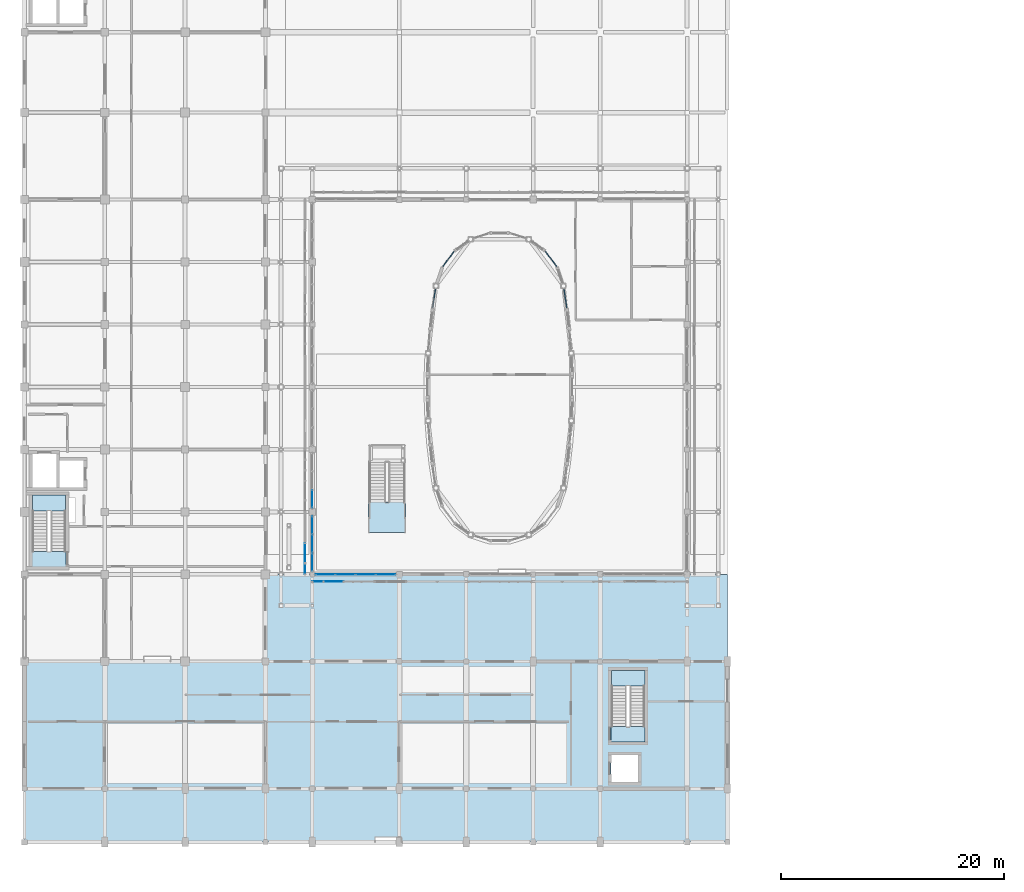
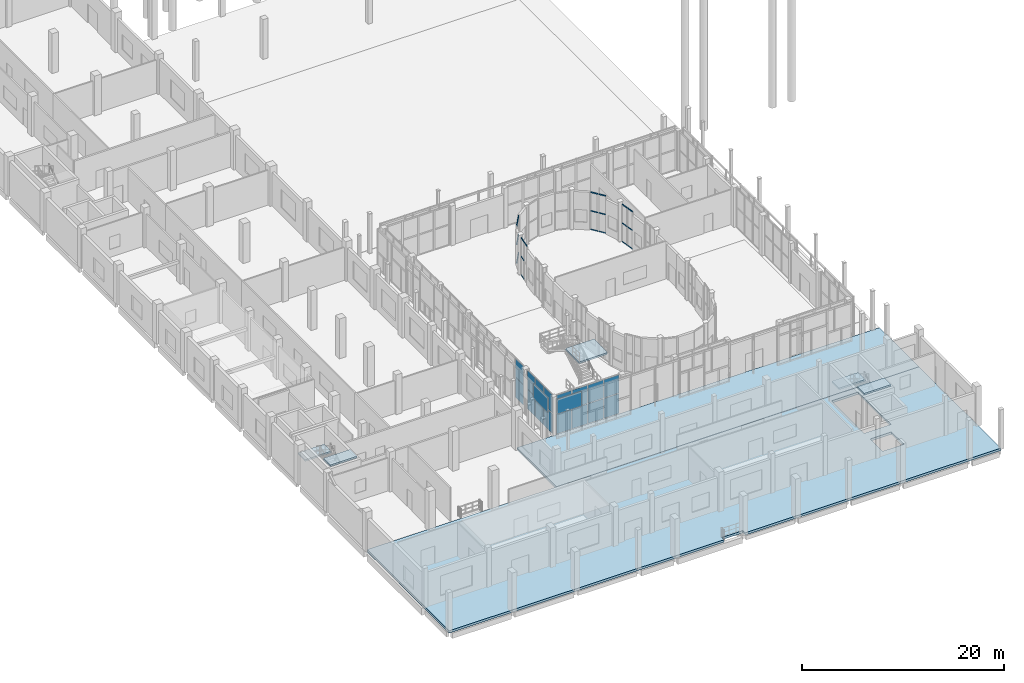
# One storey, part 54 of 91: 22 members, 18 plates, 7 slabs, 10 elements without a shape of their own.
"""IFC4 building model written with IfcOpenShell, lengths in metres."""

from ifc_helpers import new_model, si_unit, direction, frame, origin, origin_2d, place, context, subcontext, project, spatial, polyline, rectangle, hollow_rectangle, outline, extrude, material, layer, layer_set, material_profile, profile_set, type_object, element, aggregate, save


model = new_model("IFC4")

# Units and contexts
model_context = context("Model", 3, precision=1e-05, world=origin(), true_north=direction((0.0, 1.0)))
body_context = subcontext(model_context, "Body", "Model", "MODEL_VIEW")
ifc_project = project(units=[si_unit("LENGTHUNIT", "METRE"), si_unit("AREAUNIT", "SQUARE_METRE"), si_unit("VOLUMEUNIT", "CUBIC_METRE"), si_unit("PLANEANGLEUNIT", "RADIAN"), si_unit("MASSUNIT", "GRAM", prefix="KILO")], contexts=[model_context])

# Site, building, storey
site_placement = place(None, origin())
site = spatial("IfcSite", under=ifc_project, at=site_placement, CompositionType="ELEMENT")
building_placement = place(site_placement, origin())
building = spatial("IfcBuilding", under=site, at=building_placement, Name="Vinh Khe Railworks Police Headquarters", CompositionType="ELEMENT")
storey_placement = place(building_placement, origin())
storey = spatial("IfcBuildingStorey", under=building, at=storey_placement, Name="L00", CompositionType="ELEMENT", Elevation=0.0)

# Curtain wall, members
ifc_material_1 = material(Name="Anodised aluminium and acoustic laminated glass", Category="aluminium")
ifc_layer_1 = layer(ifc_material_1, 0.159912109375)
ifc_layer_set_1 = layer_set([ifc_layer_1], Name="Anodised aluminium and acoustic laminated glass")
curtain_wall_type_1 = type_object("IfcCurtainWallType", Name="CW-DRUM-CHORD", PredefinedType="USERDEFINED", material=ifc_layer_set_1)
curtain_wall_1_placement = place(storey_placement, origin())
curtain_wall_1 = element("IfcCurtainWall", 1, at=curtain_wall_1_placement, inside=storey, type_object=curtain_wall_type_1, Name="Elliptical Command Drum Glazing L00 Chord 9", ObjectType="DRUM FACADE GLAZING", PredefinedType="USERDEFINED")
ifc_material_2 = material(Name="Anodised aluminium 6063-T6", Category="aluminium")
ifc_material_profile = material_profile(ifc_material_2, hollow_rectangle(XDim=0.06494140625, YDim=0.139892578125, WallThickness=0.00390625, at=origin_2d()), Name="CW-T 65x140x4")
ifc_profile_set = profile_set([ifc_material_profile], Name="Anodised aluminium 6063-T6")
member_type = type_object("IfcMemberType", Name="TRAN-CWT-02", PredefinedType="USERDEFINED", material=ifc_profile_set)
member_1_placement = place(storey_placement, frame((49.213623046875, 49.12158203125, 0.032470703125), z_axis=(-0.153660048456, 0.988123772363, 0.0), x_axis=(-0.988123772363, -0.153660048456, 0.0)))
member_1 = element("IfcMember", 2, at=member_1_placement, type_object=member_type, Name="CW-02 transom 1.1", ObjectType="TRANSOM", PredefinedType="USERDEFINED", context=body_context, shape_type="SweptSolid", body=[
    extrude(hollow_rectangle(XDim=0.06494140625, YDim=0.139892578125, WallThickness=0.00390625, at=origin_2d()), origin(), (0.0, 0.0, 1.0), 0.78955078125),
])
member_2_placement = place(storey_placement, frame((49.213623046875, 49.12158203125, 2.27490234375), z_axis=(-0.153660048456, 0.988123772363, 0.0), x_axis=(-0.988123772363, -0.153660048456, 0.0)))
member_2 = element("IfcMember", 3, at=member_2_placement, type_object=member_type, Name="CW-02 transom 1.2", ObjectType="TRANSOM", PredefinedType="USERDEFINED", context=body_context, shape_type="SweptSolid", body=[
    extrude(hollow_rectangle(XDim=0.06494140625, YDim=0.139892578125, WallThickness=0.00390625, at=origin_2d()), origin(), (0.0, 0.0, 1.0), 0.78955078125),
])
member_3_placement = place(storey_placement, frame((49.213623046875, 49.12158203125, 4.517578125), z_axis=(-0.153660048456, 0.988123772363, 0.0), x_axis=(-0.988123772363, -0.153660048456, 0.0)))
member_3 = element("IfcMember", 4, at=member_3_placement, type_object=member_type, Name="CW-02 transom 1.3", ObjectType="TRANSOM", PredefinedType="USERDEFINED", context=body_context, shape_type="SweptSolid", body=[
    extrude(hollow_rectangle(XDim=0.06494140625, YDim=0.139892578125, WallThickness=0.00390625, at=origin_2d()), origin(), (0.0, 0.0, 1.0), 0.78955078125),
])
member_4_placement = place(storey_placement, frame((49.082275390625, 49.966064453125, 0.032470703125), z_axis=(-0.153405021889, 0.988163397045, 0.0), x_axis=(-0.988163397045, -0.153405021889, 0.0)))
member_4 = element("IfcMember", 5, at=member_4_placement, type_object=member_type, Name="CW-02 transom 2.1", ObjectType="TRANSOM", PredefinedType="USERDEFINED", context=body_context, shape_type="SweptSolid", body=[
    extrude(hollow_rectangle(XDim=0.06494140625, YDim=0.139892578125, WallThickness=0.00390625, at=origin_2d()), origin(), (0.0, 0.0, 1.0), 0.789306640625),
])
member_5_placement = place(storey_placement, frame((49.082275390625, 49.966064453125, 2.27490234375), z_axis=(-0.153405021889, 0.988163397045, 0.0), x_axis=(-0.988163397045, -0.153405021889, 0.0)))
member_5 = element("IfcMember", 6, at=member_5_placement, type_object=member_type, Name="CW-02 transom 2.2", ObjectType="TRANSOM", PredefinedType="USERDEFINED", context=body_context, shape_type="SweptSolid", body=[
    extrude(hollow_rectangle(XDim=0.06494140625, YDim=0.139892578125, WallThickness=0.00390625, at=origin_2d()), origin(), (0.0, 0.0, 1.0), 0.789306640625),
])
member_6_placement = place(storey_placement, frame((49.082275390625, 49.966064453125, 4.517578125), z_axis=(-0.153405021889, 0.988163397045, 0.0), x_axis=(-0.988163397045, -0.153405021889, 0.0)))
member_6 = element("IfcMember", 7, at=member_6_placement, type_object=member_type, Name="CW-02 transom 2.3", ObjectType="TRANSOM", PredefinedType="USERDEFINED", context=body_context, shape_type="SweptSolid", body=[
    extrude(hollow_rectangle(XDim=0.06494140625, YDim=0.139892578125, WallThickness=0.00390625, at=origin_2d()), origin(), (0.0, 0.0, 1.0), 0.789306640625),
])
aggregate(curtain_wall_1, [member_1, member_2, member_3, member_4, member_5, member_6])

curtain_wall_2_placement = place(storey_placement, origin())
curtain_wall_2 = element("IfcCurtainWall", 8, at=curtain_wall_2_placement, inside=storey, type_object=curtain_wall_type_1, Name="Elliptical Command Drum Glazing L00 Chord 11", ObjectType="DRUM FACADE GLAZING", PredefinedType="USERDEFINED")
member_7_placement = place(storey_placement, frame((48.29541015625, 52.805908203125, 0.032470703125), z_axis=(-0.596672514384, 0.802484835108, 0.0), x_axis=(-0.802484835108, -0.596672514384, 0.0)))
member_7 = element("IfcMember", 9, at=member_7_placement, type_object=member_type, Name="CW-02 transom 1.1", ObjectType="TRANSOM", PredefinedType="USERDEFINED", context=body_context, shape_type="SweptSolid", body=[
    extrude(hollow_rectangle(XDim=0.06494140625, YDim=0.139892578125, WallThickness=0.00390625, at=origin_2d()), origin(), (0.0, 0.0, 1.0), 0.799560546875),
])
member_8_placement = place(storey_placement, frame((48.29541015625, 52.805908203125, 2.27490234375), z_axis=(-0.596672514384, 0.802484835108, 0.0), x_axis=(-0.802484835108, -0.596672514384, 0.0)))
member_8 = element("IfcMember", 10, at=member_8_placement, type_object=member_type, Name="CW-02 transom 1.2", ObjectType="TRANSOM", PredefinedType="USERDEFINED", context=body_context, shape_type="SweptSolid", body=[
    extrude(hollow_rectangle(XDim=0.06494140625, YDim=0.139892578125, WallThickness=0.00390625, at=origin_2d()), origin(), (0.0, 0.0, 1.0), 0.799560546875),
])
member_9_placement = place(storey_placement, frame((48.29541015625, 52.805908203125, 4.517578125), z_axis=(-0.596672514384, 0.802484835108, 0.0), x_axis=(-0.802484835108, -0.596672514384, 0.0)))
member_9 = element("IfcMember", 11, at=member_9_placement, type_object=member_type, Name="CW-02 transom 1.3", ObjectType="TRANSOM", PredefinedType="USERDEFINED", context=body_context, shape_type="SweptSolid", body=[
    extrude(hollow_rectangle(XDim=0.06494140625, YDim=0.139892578125, WallThickness=0.00390625, at=origin_2d()), origin(), (0.0, 0.0, 1.0), 0.799560546875),
])
member_10_placement = place(storey_placement, frame((47.779541015625, 53.499755859375, 0.032470703125), z_axis=(-0.596475814623, 0.802631050091, 0.0), x_axis=(-0.802631050091, -0.596475814623, 0.0)))
member_10 = element("IfcMember", 12, at=member_10_placement, type_object=member_type, Name="CW-02 transom 2.1", ObjectType="TRANSOM", PredefinedType="USERDEFINED", context=body_context, shape_type="SweptSolid", body=[
    extrude(hollow_rectangle(XDim=0.06494140625, YDim=0.139892578125, WallThickness=0.00390625, at=origin_2d()), origin(), (0.0, 0.0, 1.0), 0.79931640625),
])
member_11_placement = place(storey_placement, frame((47.779541015625, 53.499755859375, 2.27490234375), z_axis=(-0.596475814623, 0.802631050091, 0.0), x_axis=(-0.802631050091, -0.596475814623, 0.0)))
member_11 = element("IfcMember", 13, at=member_11_placement, type_object=member_type, Name="CW-02 transom 2.2", ObjectType="TRANSOM", PredefinedType="USERDEFINED", context=body_context, shape_type="SweptSolid", body=[
    extrude(hollow_rectangle(XDim=0.06494140625, YDim=0.139892578125, WallThickness=0.00390625, at=origin_2d()), origin(), (0.0, 0.0, 1.0), 0.79931640625),
])
member_12_placement = place(storey_placement, frame((47.779541015625, 53.499755859375, 4.517578125), z_axis=(-0.596475814623, 0.802631050091, 0.0), x_axis=(-0.802631050091, -0.596475814623, 0.0)))
member_12 = element("IfcMember", 14, at=member_12_placement, type_object=member_type, Name="CW-02 transom 2.3", ObjectType="TRANSOM", PredefinedType="USERDEFINED", context=body_context, shape_type="SweptSolid", body=[
    extrude(hollow_rectangle(XDim=0.06494140625, YDim=0.139892578125, WallThickness=0.00390625, at=origin_2d()), origin(), (0.0, 0.0, 1.0), 0.79931640625),
])
aggregate(curtain_wall_2, [member_7, member_8, member_9, member_10, member_11, member_12])

curtain_wall_3_placement = place(storey_placement, origin())
curtain_wall_3 = element("IfcCurtainWall", 15, at=curtain_wall_3_placement, inside=storey, type_object=curtain_wall_type_1, Name="Elliptical Command Drum Glazing L00 Chord 17", ObjectType="DRUM FACADE GLAZING", PredefinedType="USERDEFINED")
member_13_placement = place(storey_placement, frame((39.09716796875, 54.141357421875, 0.032470703125), z_axis=(-0.596475814623, -0.802631050091, 0.0), x_axis=(0.802631050091, -0.596475814623, 0.0)))
member_13 = element("IfcMember", 16, at=member_13_placement, type_object=member_type, Name="CW-02 transom 1.1", ObjectType="TRANSOM", PredefinedType="USERDEFINED", context=body_context, shape_type="SweptSolid", body=[
    extrude(hollow_rectangle(XDim=0.06494140625, YDim=0.139892578125, WallThickness=0.00390625, at=origin_2d()), origin(), (0.0, 0.0, 1.0), 0.79931640625),
])
member_14_placement = place(storey_placement, frame((39.09716796875, 54.141357421875, 2.27490234375), z_axis=(-0.596475814623, -0.802631050091, 0.0), x_axis=(0.802631050091, -0.596475814623, 0.0)))
member_14 = element("IfcMember", 17, at=member_14_placement, type_object=member_type, Name="CW-02 transom 1.2", ObjectType="TRANSOM", PredefinedType="USERDEFINED", context=body_context, shape_type="SweptSolid", body=[
    extrude(hollow_rectangle(XDim=0.06494140625, YDim=0.139892578125, WallThickness=0.00390625, at=origin_2d()), origin(), (0.0, 0.0, 1.0), 0.79931640625),
])
member_15_placement = place(storey_placement, frame((39.09716796875, 54.141357421875, 4.517578125), z_axis=(-0.596475814623, -0.802631050091, 0.0), x_axis=(0.802631050091, -0.596475814623, 0.0)))
member_15 = element("IfcMember", 18, at=member_15_placement, type_object=member_type, Name="CW-02 transom 1.3", ObjectType="TRANSOM", PredefinedType="USERDEFINED", context=body_context, shape_type="SweptSolid", body=[
    extrude(hollow_rectangle(XDim=0.06494140625, YDim=0.139892578125, WallThickness=0.00390625, at=origin_2d()), origin(), (0.0, 0.0, 1.0), 0.79931640625),
])
member_16_placement = place(storey_placement, frame((38.58154296875, 53.447509765625, 0.032470703125), z_axis=(-0.596475814623, -0.802631050091, 0.0), x_axis=(0.802631050091, -0.596475814623, 0.0)))
member_16 = element("IfcMember", 19, at=member_16_placement, type_object=member_type, Name="CW-02 transom 2.1", ObjectType="TRANSOM", PredefinedType="USERDEFINED", context=body_context, shape_type="SweptSolid", body=[
    extrude(hollow_rectangle(XDim=0.06494140625, YDim=0.139892578125, WallThickness=0.00390625, at=origin_2d()), origin(), (0.0, 0.0, 1.0), 0.79931640625),
])
member_17_placement = place(storey_placement, frame((38.58154296875, 53.447509765625, 2.27490234375), z_axis=(-0.596475814623, -0.802631050091, 0.0), x_axis=(0.802631050091, -0.596475814623, 0.0)))
member_17 = element("IfcMember", 20, at=member_17_placement, type_object=member_type, Name="CW-02 transom 2.2", ObjectType="TRANSOM", PredefinedType="USERDEFINED", context=body_context, shape_type="SweptSolid", body=[
    extrude(hollow_rectangle(XDim=0.06494140625, YDim=0.139892578125, WallThickness=0.00390625, at=origin_2d()), origin(), (0.0, 0.0, 1.0), 0.79931640625),
])
member_18_placement = place(storey_placement, frame((38.58154296875, 53.447509765625, 4.517578125), z_axis=(-0.596475814623, -0.802631050091, 0.0), x_axis=(0.802631050091, -0.596475814623, 0.0)))
member_18 = element("IfcMember", 21, at=member_18_placement, type_object=member_type, Name="CW-02 transom 2.3", ObjectType="TRANSOM", PredefinedType="USERDEFINED", context=body_context, shape_type="SweptSolid", body=[
    extrude(hollow_rectangle(XDim=0.06494140625, YDim=0.139892578125, WallThickness=0.00390625, at=origin_2d()), origin(), (0.0, 0.0, 1.0), 0.79931640625),
])
aggregate(curtain_wall_3, [member_13, member_14, member_15, member_16, member_17, member_18])

curtain_wall_4_placement = place(storey_placement, origin())
curtain_wall_4 = element("IfcCurtainWall", 22, at=curtain_wall_4_placement, inside=storey, type_object=curtain_wall_type_1, Name="Elliptical Command Drum Glazing L00 Chord 19", ObjectType="DRUM FACADE GLAZING", PredefinedType="USERDEFINED")
member_19_placement = place(storey_placement, frame((37.438720703125, 50.74609375, 0.032470703125), z_axis=(-0.153405021889, -0.988163397045, 0.0), x_axis=(0.988163397045, -0.153405021889, 0.0)))
member_19 = element("IfcMember", 23, at=member_19_placement, type_object=member_type, Name="CW-02 transom 1.1", ObjectType="TRANSOM", PredefinedType="USERDEFINED", context=body_context, shape_type="SweptSolid", body=[
    extrude(hollow_rectangle(XDim=0.06494140625, YDim=0.139892578125, WallThickness=0.00390625, at=origin_2d()), origin(), (0.0, 0.0, 1.0), 0.789306640625),
])
member_20_placement = place(storey_placement, frame((37.438720703125, 50.74609375, 2.27490234375), z_axis=(-0.153405021889, -0.988163397045, 0.0), x_axis=(0.988163397045, -0.153405021889, 0.0)))
member_20 = element("IfcMember", 24, at=member_20_placement, type_object=member_type, Name="CW-02 transom 1.2", ObjectType="TRANSOM", PredefinedType="USERDEFINED", context=body_context, shape_type="SweptSolid", body=[
    extrude(hollow_rectangle(XDim=0.06494140625, YDim=0.139892578125, WallThickness=0.00390625, at=origin_2d()), origin(), (0.0, 0.0, 1.0), 0.789306640625),
])
member_21_placement = place(storey_placement, frame((37.438720703125, 50.74609375, 4.517578125), z_axis=(-0.153405021889, -0.988163397045, 0.0), x_axis=(0.988163397045, -0.153405021889, 0.0)))
member_21 = element("IfcMember", 25, at=member_21_placement, type_object=member_type, Name="CW-02 transom 1.3", ObjectType="TRANSOM", PredefinedType="USERDEFINED", context=body_context, shape_type="SweptSolid", body=[
    extrude(hollow_rectangle(XDim=0.06494140625, YDim=0.139892578125, WallThickness=0.00390625, at=origin_2d()), origin(), (0.0, 0.0, 1.0), 0.789306640625),
])
member_22_placement = place(storey_placement, frame((37.3076171875, 49.90185546875, 4.517578125), z_axis=(-0.15335815187, -0.988170672129, 0.0), x_axis=(0.988170672129, -0.15335815187, 0.0)))
member_22 = element("IfcMember", 26, at=member_22_placement, type_object=member_type, Name="CW-02 transom 2.3", ObjectType="TRANSOM", PredefinedType="USERDEFINED", context=body_context, shape_type="SweptSolid", body=[
    extrude(hollow_rectangle(XDim=0.06494140625, YDim=0.139892578125, WallThickness=0.00390625, at=origin_2d()), origin(), (0.0, 0.0, 1.0), 0.78955078125),
])
aggregate(curtain_wall_4, [member_19, member_20, member_21, member_22])

# Curtain wall, plates
ifc_material_3 = material(Name="Anodised aluminium and low-iron glass", Category="aluminium")
ifc_layer_2 = layer(ifc_material_3, 0.179931640625)
ifc_layer_set_2 = layer_set([ifc_layer_2], Name="Anodised aluminium and low-iron glass")
curtain_wall_type_2 = type_object("IfcCurtainWallType", Name="CW-CUBE-UNIT", PredefinedType="USERDEFINED", material=ifc_layer_set_2)
curtain_wall_5_placement = place(storey_placement, origin())
curtain_wall_5 = element("IfcCurtainWall", 27, at=curtain_wall_5_placement, inside=storey, type_object=curtain_wall_type_2, Name="Entrance Hall Curtain Wall L00 S-1", ObjectType="UNITISED GLAZING", PredefinedType="USERDEFINED")
ifc_material_4 = material(Name="Low-iron laminated solar-control glass", Category="glass")
ifc_layer_3 = layer(ifc_material_4, 0.028076171875)
ifc_layer_set_3 = layer_set([ifc_layer_3], Name="Low-iron laminated solar-control glass")
plate_type_1 = type_object("IfcPlateType", Name="PAN-GLZ-28", PredefinedType="CURTAIN_PANEL", material=ifc_layer_set_3)
plate_1_placement = place(storey_placement, frame((27.570068359375, 25.199951171875, 0.06982421875), z_axis=(0.0, 0.0, 1.0), x_axis=(1.0, 0.0, 0.0)))
plate_1 = element("IfcPlate", 28, at=plate_1_placement, type_object=plate_type_1, Name="CW-01 panel 1.1", PredefinedType="CURTAIN_PANEL", context=body_context, shape_type="SweptSolid", body=[
    extrude(rectangle(XDim=1.7099609375, YDim=0.028076171875, at=origin_2d()), origin(), (0.0, 0.0, 1.0), 2.39111328125),
])
plate_2_placement = place(storey_placement, frame((27.570068359375, 25.199951171875, 2.53125), z_axis=(0.0, 0.0, 1.0), x_axis=(1.0, 0.0, 0.0)))
plate_2 = element("IfcPlate", 29, at=plate_2_placement, type_object=plate_type_1, Name="CW-01 panel 1.2", PredefinedType="CURTAIN_PANEL", context=body_context, shape_type="SweptSolid", body=[
    extrude(rectangle(XDim=1.7099609375, YDim=0.028076171875, at=origin_2d()), origin(), (0.0, 0.0, 1.0), 2.198974609375),
])
plate_3_placement = place(storey_placement, frame((29.367431640625, 25.199951171875, 0.06982421875), z_axis=(0.0, 0.0, 1.0), x_axis=(1.0, 0.0, 0.0)))
plate_3 = element("IfcPlate", 30, at=plate_3_placement, type_object=plate_type_1, Name="CW-01 panel 2.1", PredefinedType="CURTAIN_PANEL", context=body_context, shape_type="SweptSolid", body=[
    extrude(rectangle(XDim=1.7451171875, YDim=0.028076171875, at=origin_2d()), origin(), (0.0, 0.0, 1.0), 2.39111328125),
])
plate_4_placement = place(storey_placement, frame((29.367431640625, 25.199951171875, 2.53125), z_axis=(0.0, 0.0, 1.0), x_axis=(1.0, 0.0, 0.0)))
plate_4 = element("IfcPlate", 31, at=plate_4_placement, type_object=plate_type_1, Name="CW-01 panel 2.2", PredefinedType="CURTAIN_PANEL", context=body_context, shape_type="SweptSolid", body=[
    extrude(rectangle(XDim=1.7451171875, YDim=0.028076171875, at=origin_2d()), origin(), (0.0, 0.0, 1.0), 2.198974609375),
])
plate_5_placement = place(storey_placement, frame((31.1826171875, 25.199951171875, 0.06982421875), z_axis=(0.0, 0.0, 1.0), x_axis=(1.0, 0.0, 0.0)))
plate_5 = element("IfcPlate", 32, at=plate_5_placement, type_object=plate_type_1, Name="CW-01 panel 3.1", PredefinedType="CURTAIN_PANEL", context=body_context, shape_type="SweptSolid", body=[
    extrude(rectangle(XDim=1.7451171875, YDim=0.028076171875, at=origin_2d()), origin(), (0.0, 0.0, 1.0), 2.39111328125),
])
plate_6_placement = place(storey_placement, frame((31.1826171875, 25.199951171875, 2.53125), z_axis=(0.0, 0.0, 1.0), x_axis=(1.0, 0.0, 0.0)))
plate_6 = element("IfcPlate", 33, at=plate_6_placement, type_object=plate_type_1, Name="CW-01 panel 3.2", PredefinedType="CURTAIN_PANEL", context=body_context, shape_type="SweptSolid", body=[
    extrude(rectangle(XDim=1.7451171875, YDim=0.028076171875, at=origin_2d()), origin(), (0.0, 0.0, 1.0), 2.198974609375),
])
plate_7_placement = place(storey_placement, frame((32.97998046875, 25.199951171875, 0.06982421875), z_axis=(0.0, 0.0, 1.0), x_axis=(1.0, 0.0, 0.0)))
plate_7 = element("IfcPlate", 34, at=plate_7_placement, type_object=plate_type_1, Name="CW-01 panel 4.1", PredefinedType="CURTAIN_PANEL", context=body_context, shape_type="SweptSolid", body=[
    extrude(rectangle(XDim=1.7099609375, YDim=0.028076171875, at=origin_2d()), origin(), (0.0, 0.0, 1.0), 2.39111328125),
])
plate_8_placement = place(storey_placement, frame((32.97998046875, 25.199951171875, 2.53125), z_axis=(0.0, 0.0, 1.0), x_axis=(1.0, 0.0, 0.0)))
plate_8 = element("IfcPlate", 35, at=plate_8_placement, type_object=plate_type_1, Name="CW-01 panel 4.2", PredefinedType="CURTAIN_PANEL", context=body_context, shape_type="SweptSolid", body=[
    extrude(rectangle(XDim=1.7099609375, YDim=0.028076171875, at=origin_2d()), origin(), (0.0, 0.0, 1.0), 2.198974609375),
])
aggregate(curtain_wall_5, [plate_1, plate_2, plate_3, plate_4, plate_5, plate_6, plate_7, plate_8])

curtain_wall_6_placement = place(storey_placement, origin())
curtain_wall_6 = element("IfcCurtainWall", 36, at=curtain_wall_6_placement, inside=storey, type_object=curtain_wall_type_2, Name="Entrance Hall Curtain Wall L00 W-1", ObjectType="UNITISED GLAZING", PredefinedType="USERDEFINED")
plate_9_placement = place(storey_placement, frame((26.39990234375, 26.3017578125, 0.06982421875), z_axis=(0.0, 0.0, 1.0), x_axis=(0.0, 1.0, 0.0)))
plate_9 = element("IfcPlate", 37, at=plate_9_placement, type_object=plate_type_1, Name="CW-01 panel 1.1", PredefinedType="CURTAIN_PANEL", context=body_context, shape_type="SweptSolid", body=[
    extrude(rectangle(XDim=1.5732421875, YDim=0.028076171875, at=origin_2d()), origin(), (0.0, 0.0, 1.0), 2.39111328125),
])
plate_10_placement = place(storey_placement, frame((26.39990234375, 26.3017578125, 2.53125), z_axis=(0.0, 0.0, 1.0), x_axis=(0.0, 1.0, 0.0)))
plate_10 = element("IfcPlate", 38, at=plate_10_placement, type_object=plate_type_1, Name="CW-01 panel 1.2", PredefinedType="CURTAIN_PANEL", context=body_context, shape_type="SweptSolid", body=[
    extrude(rectangle(XDim=1.5732421875, YDim=0.028076171875, at=origin_2d()), origin(), (0.0, 0.0, 1.0), 2.198974609375),
])
plate_11_placement = place(storey_placement, frame((26.39990234375, 27.96240234375, 0.06982421875), z_axis=(0.0, 0.0, 1.0), x_axis=(0.0, 1.0, 0.0)))
plate_11 = element("IfcPlate", 39, at=plate_11_placement, type_object=plate_type_1, Name="CW-01 panel 2.1", PredefinedType="CURTAIN_PANEL", context=body_context, shape_type="SweptSolid", body=[
    extrude(rectangle(XDim=1.6083984375, YDim=0.028076171875, at=origin_2d()), origin(), (0.0, 0.0, 1.0), 2.39111328125),
])
plate_12_placement = place(storey_placement, frame((26.39990234375, 27.96240234375, 2.53125), z_axis=(0.0, 0.0, 1.0), x_axis=(0.0, 1.0, 0.0)))
plate_12 = element("IfcPlate", 40, at=plate_12_placement, type_object=plate_type_1, Name="CW-01 panel 2.2", PredefinedType="CURTAIN_PANEL", context=body_context, shape_type="SweptSolid", body=[
    extrude(rectangle(XDim=1.6083984375, YDim=0.028076171875, at=origin_2d()), origin(), (0.0, 0.0, 1.0), 2.198974609375),
])
plate_13_placement = place(storey_placement, frame((26.39990234375, 29.623291015625, 0.06982421875), z_axis=(0.0, 0.0, 1.0), x_axis=(0.0, 1.0, 0.0)))
plate_13 = element("IfcPlate", 41, at=plate_13_placement, type_object=plate_type_1, Name="CW-01 panel 3.1", PredefinedType="CURTAIN_PANEL", context=body_context, shape_type="SweptSolid", body=[
    extrude(rectangle(XDim=1.5732421875, YDim=0.028076171875, at=origin_2d()), origin(), (0.0, 0.0, 1.0), 2.39111328125),
])
plate_14_placement = place(storey_placement, frame((26.39990234375, 29.623291015625, 2.53125), z_axis=(0.0, 0.0, 1.0), x_axis=(0.0, 1.0, 0.0)))
plate_14 = element("IfcPlate", 42, at=plate_14_placement, type_object=plate_type_1, Name="CW-01 panel 3.2", PredefinedType="CURTAIN_PANEL", context=body_context, shape_type="SweptSolid", body=[
    extrude(rectangle(XDim=1.5732421875, YDim=0.028076171875, at=origin_2d()), origin(), (0.0, 0.0, 1.0), 2.198974609375),
])
aggregate(curtain_wall_6, [plate_9, plate_10, plate_11, plate_12, plate_13, plate_14])

curtain_wall_7_placement = place(storey_placement, origin())
curtain_wall_7 = element("IfcCurtainWall", 43, at=curtain_wall_7_placement, inside=storey, type_object=curtain_wall_type_2, Name="Entrance Hall Curtain Wall L00 W-2", ObjectType="UNITISED GLAZING", PredefinedType="USERDEFINED")
plate_15_placement = place(storey_placement, frame((26.39990234375, 31.96826171875, 0.06982421875), z_axis=(0.0, 0.0, 1.0), x_axis=(0.0, 1.0, 0.0)))
plate_15 = element("IfcPlate", 44, at=plate_15_placement, type_object=plate_type_1, Name="CW-01 panel 1.1", PredefinedType="CURTAIN_PANEL", context=body_context, shape_type="SweptSolid", body=[
    extrude(rectangle(XDim=1.556640625, YDim=0.028076171875, at=origin_2d()), origin(), (0.0, 0.0, 1.0), 2.39111328125),
])
plate_16_placement = place(storey_placement, frame((26.39990234375, 31.96826171875, 2.53125), z_axis=(0.0, 0.0, 1.0), x_axis=(0.0, 1.0, 0.0)))
plate_16 = element("IfcPlate", 45, at=plate_16_placement, type_object=plate_type_1, Name="CW-01 panel 1.2", PredefinedType="CURTAIN_PANEL", context=body_context, shape_type="SweptSolid", body=[
    extrude(rectangle(XDim=1.556640625, YDim=0.028076171875, at=origin_2d()), origin(), (0.0, 0.0, 1.0), 2.198974609375),
])
aggregate(curtain_wall_7, [plate_15, plate_16])

# Plates
ifc_material_5 = material(Name="Weathered architectural steel", Category="steel")
ifc_layer_4 = layer(ifc_material_5, 0.044921875)
ifc_layer_set_4 = layer_set([ifc_layer_4], Name="Weathered architectural steel")
plate_type_2 = type_object("IfcPlateType", Name="PLT-QP-02", PredefinedType="SHEET", material=ifc_layer_set_4)
for number, where, z_axis, x_axis, name in (
    (46, (27.800048828125, 24.550048828125, 2.97607421875), (0.0, 0.0, 1.0), (1.0, 0.0, 0.0), "Weathered Steel Casement Spandrel S-1"),
    (47, (25.75, 26.60009765625, 2.97607421875), (0.0, 0.0, 1.0), (0.0, 1.0, 0.0), "Weathered Steel Casement Spandrel W-1"),
):
    element("IfcPlate", number, at=place(storey_placement, frame(where, z_axis=z_axis, x_axis=x_axis)), inside=storey, type_object=plate_type_2, Name=name, PredefinedType="SHEET", context=body_context, shape_type="SweptSolid", body=[
        extrude(rectangle(XDim=2.800048828125, YDim=0.044921875, at=origin_2d()), origin(), (0.0, 0.0, 1.0), 1.823974609375),
    ])

# Stair, slabs
ifc_material_6 = material(Name="Precast concrete C40/50 (B40)", Category="concrete")
stair_type_1 = type_object("IfcStairType", Name="ST-CORE-DOGLEG", PredefinedType="HALF_TURN_STAIR", material=ifc_material_6)
stair_1_placement = place(storey_placement, origin())
stair_1 = element("IfcStair", 48, at=stair_1_placement, inside=storey, type_object=stair_type_1, Name="L00 Escape Stair ST-01", PredefinedType="HALF_TURN_STAIR")
ifc_material_7 = material(Name="Concrete C35/45 (B35)", Category="concrete")
ifc_layer_5 = layer(ifc_material_7, 0.199951171875)
ifc_layer_set_5 = layer_set([ifc_layer_5], Name="Concrete C35/45 (B35)")
slab_type_1 = type_object("IfcSlabType", Name="SLB-LAND-200", PredefinedType="LANDING", material=ifc_layer_set_5)
slab_1_placement = place(storey_placement, frame((0.0, 0.0, 2.199951171875)))
slab_1 = element("IfcSlab", 49, at=slab_1_placement, type_object=slab_type_1, Name="ST-01 landing 1", PredefinedType="LANDING", context=body_context, shape_type="SweptSolid", body=[
    extrude(outline(polyline([(4.300048828125, 30.889892578125), (4.300048828125, 32.300048828125), (1.300048828125, 32.300048828125), (1.300048828125, 30.889892578125), (4.300048828125, 30.889892578125)])), origin(), (0.0, 0.0, 1.0), 0.199951171875),
])
slab_2_placement = place(storey_placement, frame((0.0, 0.0, 4.60009765625)))
slab_2 = element("IfcSlab", 50, at=slab_2_placement, type_object=slab_type_1, Name="ST-01 landing 2", PredefinedType="LANDING", context=body_context, shape_type="SweptSolid", body=[
    extrude(outline(polyline([(1.280029296875, 25.8798828125), (4.320068359375, 25.8798828125), (4.320068359375, 27.260009765625), (1.280029296875, 27.260009765625), (1.280029296875, 25.8798828125)])), origin(), (0.0, 0.0, 1.0), 0.199951171875),
])
aggregate(stair_1, [slab_1, slab_2])

stair_2_placement = place(storey_placement, origin())
stair_2 = element("IfcStair", 51, at=stair_2_placement, inside=storey, type_object=stair_type_1, Name="L00 Escape Stair ST-05", PredefinedType="HALF_TURN_STAIR")
slab_3_placement = place(storey_placement, frame((0.0, 0.0, 2.199951171875)))
slab_3 = element("IfcSlab", 52, at=slab_3_placement, type_object=slab_type_1, Name="ST-05 landing 1", PredefinedType="LANDING", context=body_context, shape_type="SweptSolid", body=[
    extrude(outline(polyline([(56.199951171875, 15.18994140625), (56.199951171875, 16.60009765625), (53.199951171875, 16.60009765625), (53.199951171875, 15.18994140625), (56.199951171875, 15.18994140625)])), origin(), (0.0, 0.0, 1.0), 0.199951171875),
])
slab_4_placement = place(storey_placement, frame((0.0, 0.0, 4.60009765625)))
slab_4 = element("IfcSlab", 53, at=slab_4_placement, type_object=slab_type_1, Name="ST-05 landing 2", PredefinedType="LANDING", context=body_context, shape_type="SweptSolid", body=[
    extrude(outline(polyline([(53.179931640625, 10.179931640625), (56.219970703125, 10.179931640625), (56.219970703125, 11.56005859375), (53.179931640625, 11.56005859375), (53.179931640625, 10.179931640625)])), origin(), (0.0, 0.0, 1.0), 0.199951171875),
])
aggregate(stair_2, [slab_3, slab_4])

# Stair, slab
ifc_material_8 = material(Name="Steel S355JR", Category="steel")
stair_type_2 = type_object("IfcStairType", Name="ST-HALL-FEATURE", PredefinedType="HALF_TURN_STAIR", material=ifc_material_8)
stair_3_placement = place(storey_placement, origin())
stair_3 = element("IfcStair", 54, at=stair_3_placement, inside=storey, type_object=stair_type_2, Name="L00 Concourse Feature Stair ST-08", PredefinedType="HALF_TURN_STAIR")
slab_5_placement = place(storey_placement, frame((0.0, 0.0, 4.60009765625)))
slab_5 = element("IfcSlab", 55, at=slab_5_placement, type_object=slab_type_1, Name="ST-08 landing 2", PredefinedType="LANDING", context=body_context, shape_type="SweptSolid", body=[
    extrude(outline(polyline([(31.449951171875, 28.97998046875), (34.64990234375, 28.97998046875), (34.75, 29.080078125), (34.75, 31.679931640625), (31.550048828125, 31.679931640625), (31.449951171875, 31.580078125), (31.449951171875, 28.97998046875)])), origin(), (0.0, 0.0, 1.0), 0.199951171875),
])
aggregate(stair_3, [slab_5])

# Slabs
ifc_layer_6 = layer(ifc_material_7, 0.280029296875)
ifc_layer_set_6 = layer_set([ifc_layer_6], Name="Concrete C35/45 (B35)")
slab_type_2 = type_object("IfcSlabType", Name="Suspended Floor Slab 280", PredefinedType="FLOOR", material=ifc_layer_set_6)
slab_6_placement = place(storey_placement, frame((0.0, 0.0, -0.280029296875)))
element("IfcSlab", 56, at=slab_6_placement, inside=storey, type_object=slab_type_2, Name="V4 Floor Slab (L00)", PredefinedType="FLOOR", context=body_context, shape_type="SweptSolid", body=[
    extrude(outline(polyline([(0.60009765625, 1.199951171875), (32.0, 1.199951171875), (32.0, 1.64990234375), (34.39990234375, 1.64990234375), (34.39990234375, 1.199951171875), (63.60009765625, 1.199951171875), (63.60009765625, 17.389892578125), (0.60009765625, 17.389892578125), (0.60009765625, 1.199951171875)]), holes=[polyline([(53.169921875, 10.169921875), (56.22998046875, 10.169921875), (56.22998046875, 16.6298828125), (53.169921875, 16.6298828125), (53.169921875, 10.169921875)]), polyline([(53.179931640625, 6.580078125), (55.6201171875, 6.580078125), (55.6201171875, 9.02001953125), (53.179931640625, 9.02001953125), (53.179931640625, 6.580078125)])]), origin(), (0.0, 0.0, 1.0), 0.280029296875),
])
slab_7_placement = place(storey_placement, frame((0.0, 0.0, -0.280029296875)))
element("IfcSlab", 57, at=slab_7_placement, inside=storey, type_object=slab_type_2, Name="COURT-S Floor Slab (L00)", PredefinedType="FLOOR", context=body_context, shape_type="SweptSolid", body=[
    extrude(outline(polyline([(22.2099609375, 17.39990234375), (63.60009765625, 17.39990234375), (63.60009765625, 25.199951171875), (22.2099609375, 25.199951171875), (22.2099609375, 17.39990234375)])), origin(), (0.0, 0.0, 1.0), 0.280029296875),
])

save(model, "model.ifc")
